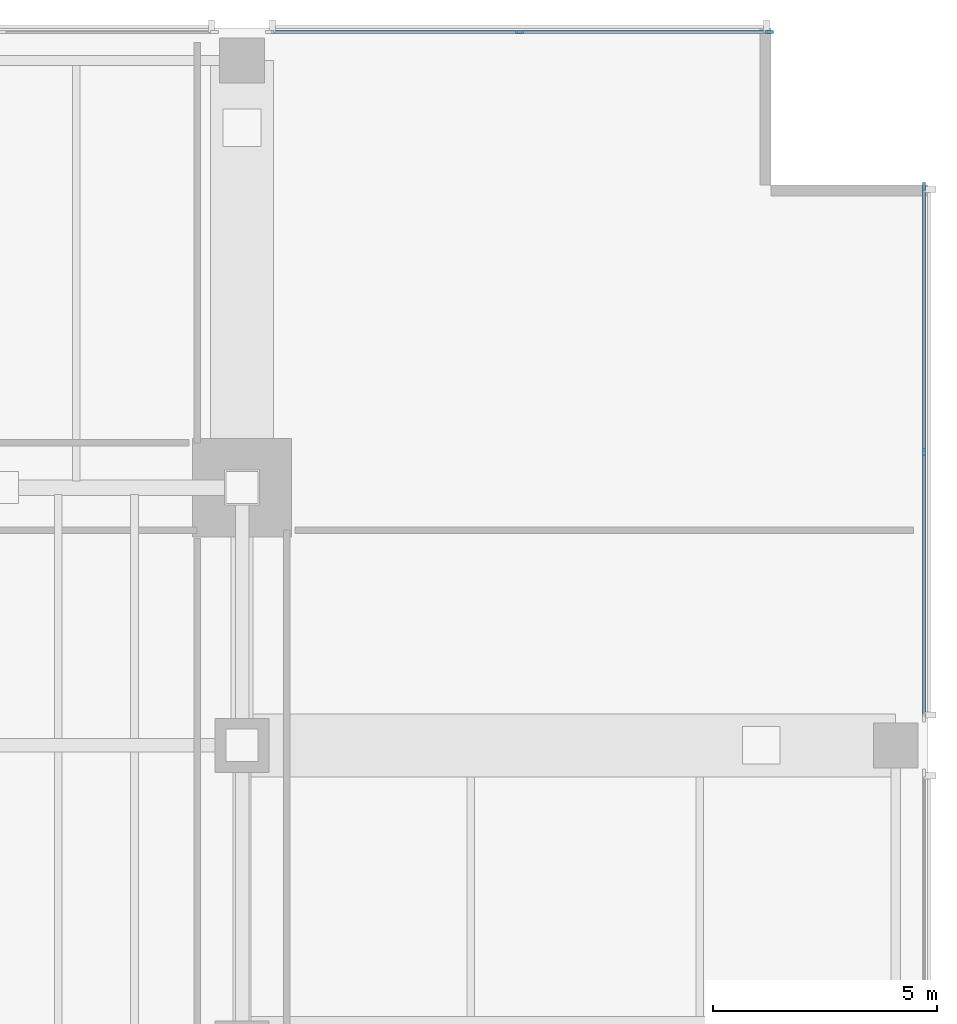
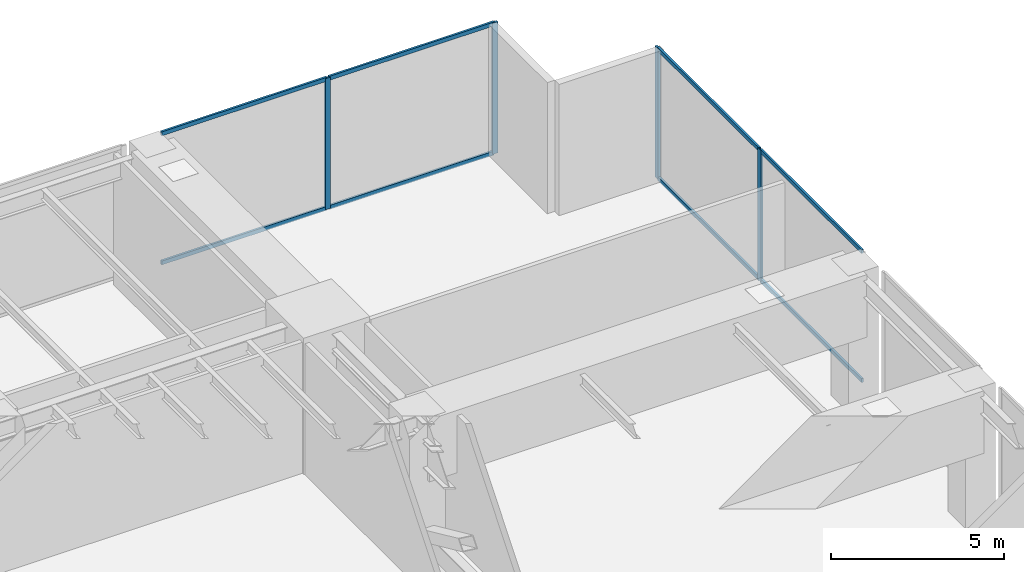
# One storey, part 6 of 14: 12 members, 2 elements without a shape of their own.
"""IFC4 building model written with IfcOpenShell, lengths in metres."""

from ifc_helpers import new_model, si_unit, direction, frame, origin, origin_2d, place, context, subcontext, project, spatial, rectangle, extrude, material, layer, layer_set, material_profile, profile_set, type_object, element, aggregate, save


model = new_model("IFC4")

# Units and contexts
model_context = context("Model", 3, precision=1e-05, world=origin(), true_north=direction((0.0, 1.0)))
body_context = subcontext(model_context, "Body", "Model", "MODEL_VIEW")
ifc_project = project(units=[si_unit("LENGTHUNIT", "METRE"), si_unit("AREAUNIT", "SQUARE_METRE"), si_unit("VOLUMEUNIT", "CUBIC_METRE"), si_unit("PLANEANGLEUNIT", "RADIAN"), si_unit("MASSUNIT", "GRAM", prefix="KILO")], contexts=[model_context])

# Site, building, storey
site_placement = place(None, origin())
site = spatial("IfcSite", under=ifc_project, at=site_placement, CompositionType="ELEMENT")
building_placement = place(site_placement, origin())
building = spatial("IfcBuilding", under=site, at=building_placement, Name="Kinhvarn Gate Tower", CompositionType="ELEMENT")
storey_placement = place(building_placement, frame((0.0, 0.0, 93.050048828125)))
storey = spatial("IfcBuildingStorey", under=building, at=storey_placement, Name="L24", CompositionType="ELEMENT", Elevation=93.050048828125)

# Curtain wall, members
ifc_material = material(Name="Anodised aluminium AW-6063", Category="aluminium")
ifc_layer = layer(ifc_material, 0.179931640625)
ifc_layer_set = layer_set([ifc_layer], Name="Anodised aluminium AW-6063")
curtain_wall_type = type_object("IfcCurtainWallType", Name="CW-SYS-2", PredefinedType="NOTDEFINED", material=ifc_layer_set)
curtain_wall_1_placement = place(storey_placement, origin())
curtain_wall_1 = element("IfcCurtainWall", 1, at=curtain_wall_1_placement, inside=storey, type_object=curtain_wall_type, Name="Curtain Wall CW2 (L24)", PredefinedType="NOTDEFINED")
ifc_material_profile_1 = material_profile(ifc_material, rectangle(XDim=0.070068359375, YDim=0.179931640625, at=origin_2d()), Name="ALU 70x180")
ifc_profile_set_1 = profile_set([ifc_material_profile_1], Name="Anodised aluminium AW-6063")
member_type_1 = type_object("IfcMemberType", Name="CW-MUL-180", PredefinedType="MULLION", material=ifc_profile_set_1)
member_1_placement = place(storey_placement, frame((49.965087890625, 47.909912109375, 0.0), z_axis=(0.0, 0.0, 1.0), x_axis=(0.0, -1.0, 0.0)))
member_1 = element("IfcMember", 2, at=member_1_placement, type_object=member_type_1, Name="CW2 mullion 1", PredefinedType="MULLION", context=body_context, shape_type="SweptSolid", body=[
    extrude(rectangle(XDim=0.070068359375, YDim=0.179931640625, at=origin_2d()), origin(), (0.0, 0.0, 1.0), 4.619873046875),
])
member_2_placement = place(storey_placement, frame((44.389892578125, 47.909912109375, 0.0), z_axis=(0.0, 0.0, 1.0), x_axis=(0.0, -1.0, 0.0)))
member_2 = element("IfcMember", 3, at=member_2_placement, type_object=member_type_1, Name="CW2 mullion 2", PredefinedType="MULLION", context=body_context, shape_type="SweptSolid", body=[
    extrude(rectangle(XDim=0.070068359375, YDim=0.179931640625, at=origin_2d()), origin(), (0.0, 0.0, 1.0), 4.619873046875),
])

curtain_wall_2_placement = place(storey_placement, origin())
curtain_wall_2 = element("IfcCurtainWall", 4, at=curtain_wall_2_placement, inside=storey, type_object=curtain_wall_type, Name="Curtain Wall CW2 (L24)", PredefinedType="NOTDEFINED")
member_3_placement = place(storey_placement, frame((53.409912109375, 38.5400390625, 0.0), z_axis=(0.0, 0.0, 1.0), x_axis=(-1.0, 0.0, 0.0)))
member_3 = element("IfcMember", 5, at=member_3_placement, type_object=member_type_1, Name="CW2 mullion 2", PredefinedType="MULLION", context=body_context, shape_type="SweptSolid", body=[
    extrude(rectangle(XDim=0.070068359375, YDim=0.179931640625, at=origin_2d()), origin(), (0.0, 0.0, 1.0), 4.619873046875),
])
member_4_placement = place(storey_placement, frame((53.409912109375, 44.465087890625, 0.0), z_axis=(0.0, 0.0, 1.0), x_axis=(-1.0, 0.0, 0.0)))
member_4 = element("IfcMember", 6, at=member_4_placement, type_object=member_type_1, Name="CW2 mullion 3", PredefinedType="MULLION", context=body_context, shape_type="SweptSolid", body=[
    extrude(rectangle(XDim=0.070068359375, YDim=0.179931640625, at=origin_2d()), origin(), (0.0, 0.0, 1.0), 4.619873046875),
])

# Member
ifc_material_profile_2 = material_profile(ifc_material, rectangle(XDim=0.070068359375, YDim=0.139892578125, at=origin_2d()), Name="ALU 70x140")
ifc_profile_set_2 = profile_set([ifc_material_profile_2], Name="Anodised aluminium AW-6063")
member_type_2 = type_object("IfcMemberType", Name="CW-TRN-140", PredefinedType="USERDEFINED", material=ifc_profile_set_2)
member_5_placement = place(storey_placement, frame((49.929931640625, 47.909912109375, 0.034912109375), z_axis=(-1.0, 0.0, 0.0), x_axis=(0.0, -1.0, 0.0)))
member_5 = element("IfcMember", 7, at=member_5_placement, type_object=member_type_2, Name="CW2 transom 1.1", ObjectType="TRANSOM", PredefinedType="USERDEFINED", context=body_context, shape_type="SweptSolid", body=[
    extrude(rectangle(XDim=0.070068359375, YDim=0.139892578125, at=origin_2d()), origin(), (0.0, 0.0, 1.0), 5.5048828125),
])

member_6_placement = place(storey_placement, frame((49.929931640625, 47.909912109375, 4.5849609375), z_axis=(-1.0, 0.0, 0.0), x_axis=(0.0, -1.0, 0.0)))
member_6 = element("IfcMember", 8, at=member_6_placement, type_object=member_type_2, Name="CW2 transom 1.2", ObjectType="TRANSOM", PredefinedType="USERDEFINED", context=body_context, shape_type="SweptSolid", body=[
    extrude(rectangle(XDim=0.070068359375, YDim=0.139892578125, at=origin_2d()), origin(), (0.0, 0.0, 1.0), 5.5048828125),
])

member_7_placement = place(storey_placement, frame((44.35498046875, 47.909912109375, 0.034912109375), z_axis=(-1.0, 0.0, 0.0), x_axis=(0.0, -1.0, 0.0)))
member_7 = element("IfcMember", 9, at=member_7_placement, type_object=member_type_2, Name="CW2 transom 2.1", ObjectType="TRANSOM", PredefinedType="USERDEFINED", context=body_context, shape_type="SweptSolid", body=[
    extrude(rectangle(XDim=0.070068359375, YDim=0.139892578125, at=origin_2d()), origin(), (0.0, 0.0, 1.0), 5.5048828125),
])

member_8_placement = place(storey_placement, frame((44.35498046875, 47.909912109375, 4.5849609375), z_axis=(-1.0, 0.0, 0.0), x_axis=(0.0, -1.0, 0.0)))
member_8 = element("IfcMember", 10, at=member_8_placement, type_object=member_type_2, Name="CW2 transom 2.2", ObjectType="TRANSOM", PredefinedType="USERDEFINED", context=body_context, shape_type="SweptSolid", body=[
    extrude(rectangle(XDim=0.070068359375, YDim=0.139892578125, at=origin_2d()), origin(), (0.0, 0.0, 1.0), 5.5048828125),
])

aggregate(curtain_wall_1, [member_1, member_2, member_5, member_6, member_7, member_8])

member_9_placement = place(storey_placement, frame((53.409912109375, 32.64990234375, 0.034912109375), z_axis=(0.0, 1.0, 0.0), x_axis=(-1.0, 0.0, 0.0)))
member_9 = element("IfcMember", 11, at=member_9_placement, type_object=member_type_2, Name="CW2 transom 1.1", ObjectType="TRANSOM", PredefinedType="USERDEFINED", context=body_context, shape_type="SweptSolid", body=[
    extrude(rectangle(XDim=0.070068359375, YDim=0.139892578125, at=origin_2d()), origin(), (0.0, 0.0, 1.0), 5.85498046875),
])

member_10_placement = place(storey_placement, frame((53.409912109375, 32.64990234375, 4.5849609375), z_axis=(0.0, 1.0, 0.0), x_axis=(-1.0, 0.0, 0.0)))
member_10 = element("IfcMember", 12, at=member_10_placement, type_object=member_type_2, Name="CW2 transom 1.2", ObjectType="TRANSOM", PredefinedType="USERDEFINED", context=body_context, shape_type="SweptSolid", body=[
    extrude(rectangle(XDim=0.070068359375, YDim=0.139892578125, at=origin_2d()), origin(), (0.0, 0.0, 1.0), 5.85498046875),
])

member_11_placement = place(storey_placement, frame((53.409912109375, 38.574951171875, 0.034912109375), z_axis=(0.0, 1.0, 0.0), x_axis=(-1.0, 0.0, 0.0)))
member_11 = element("IfcMember", 13, at=member_11_placement, type_object=member_type_2, Name="CW2 transom 2.1", ObjectType="TRANSOM", PredefinedType="USERDEFINED", context=body_context, shape_type="SweptSolid", body=[
    extrude(rectangle(XDim=0.070068359375, YDim=0.139892578125, at=origin_2d()), origin(), (0.0, 0.0, 1.0), 5.85498046875),
])

member_12_placement = place(storey_placement, frame((53.409912109375, 38.574951171875, 4.5849609375), z_axis=(0.0, 1.0, 0.0), x_axis=(-1.0, 0.0, 0.0)))
member_12 = element("IfcMember", 14, at=member_12_placement, type_object=member_type_2, Name="CW2 transom 2.2", ObjectType="TRANSOM", PredefinedType="USERDEFINED", context=body_context, shape_type="SweptSolid", body=[
    extrude(rectangle(XDim=0.070068359375, YDim=0.139892578125, at=origin_2d()), origin(), (0.0, 0.0, 1.0), 5.85498046875),
])

aggregate(curtain_wall_2, [member_3, member_4, member_9, member_10, member_11, member_12])

save(model, "model.ifc")
